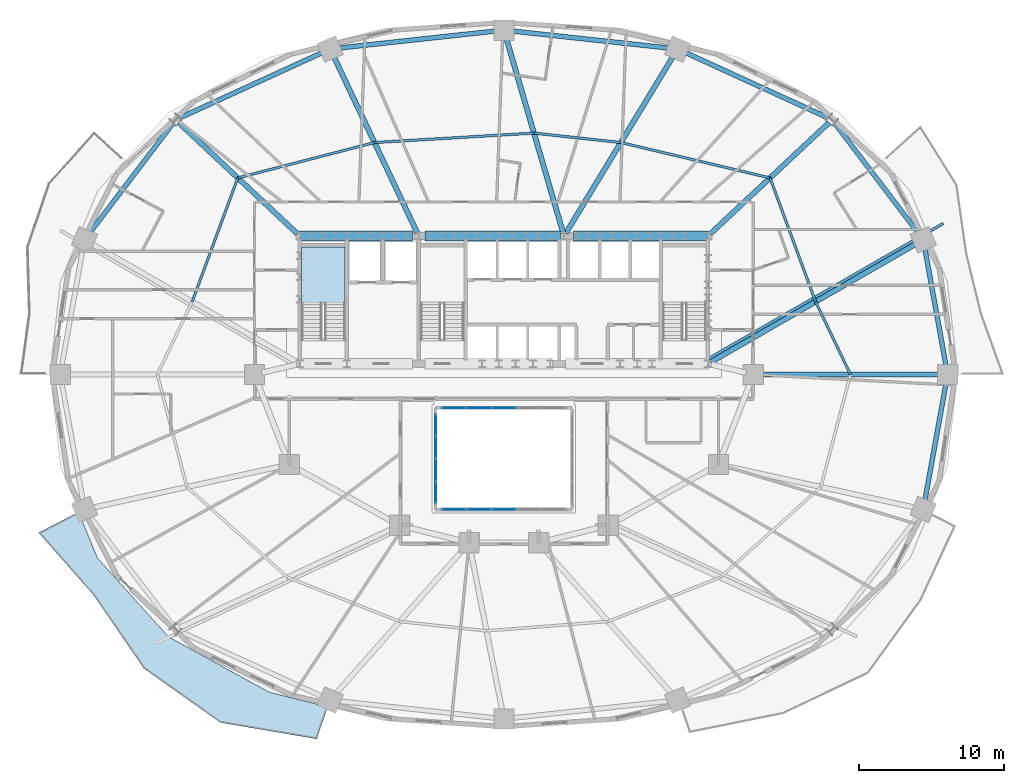
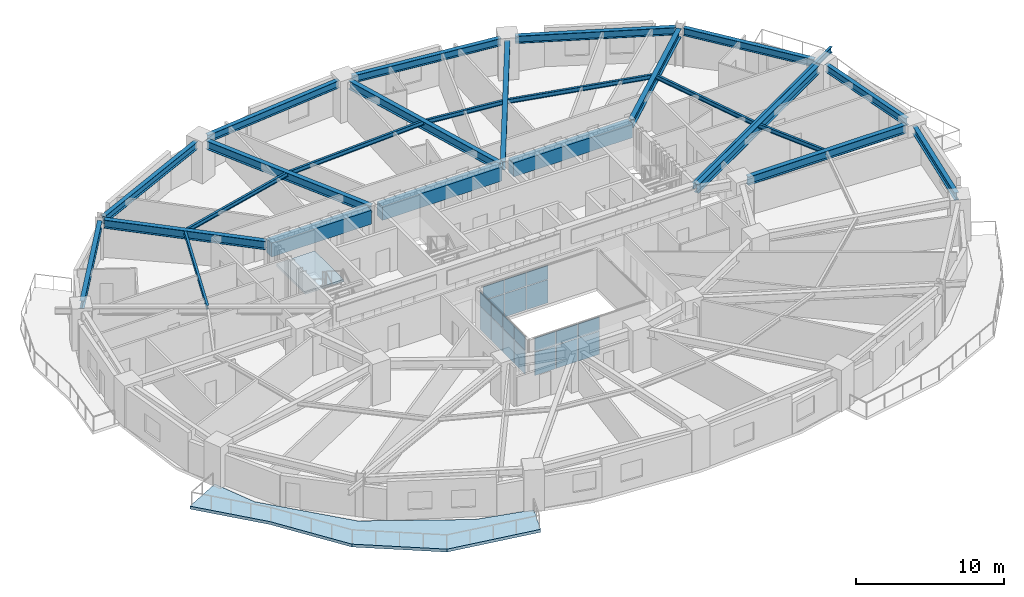
# One storey, part 7 of 18: 26 beams, 20 plates, 2 slabs, 4 elements without a shape of their own.
"""IFC4 building model written with IfcOpenShell, lengths in metres."""

import ifcopenshell
import ifcopenshell.guid

model = None  # the IFC model being written
_history = None  # IfcOwnerHistory: only IFC2X3 demands one
_inside = {}  # id of a spatial element -> (the spatial element, [elements in it])
_under = {}  # id of a project, library or spatial element -> (it, [spatial elements below it])
_declared = {}  # id of a project -> (the project, [libraries it declares])
_typed = {}  # id of a type object -> (the type object, [elements of that type])
_made_of = {}  # id of a material, layer set ... -> (it, [elements and type objects made of it])


def new_model(schema):
    """Start an empty IFC model of exactly this schema.

    Asked for "IFC4X3", IfcOpenShell would pick the latest addendum, in which some entities
    have other attributes; the version numbers below select the first issue.
    IFC2X3 requires an IfcOwnerHistory on every rooted entity: one is made here for all.
    """
    global model, _history
    if schema == "IFC4X3":
        model = ifcopenshell.file(schema_version=(4, 3, 0, 0))
    else:
        model = ifcopenshell.file(schema=schema)
    _inside.clear()
    _under.clear()
    _declared.clear()
    _typed.clear()
    _made_of.clear()
    _history = None
    if model.schema == "IFC2X3":
        org = make("IfcOrganization", Name="unknown")
        user = make(
            "IfcPersonAndOrganization",
            ThePerson=make("IfcPerson", FamilyName="unknown"),
            TheOrganization=org,
        )
        app = make(
            "IfcApplication",
            ApplicationDeveloper=org,
            Version="unknown",
            ApplicationFullName="unknown",
            ApplicationIdentifier="unknown",
        )
        _history = make(
            "IfcOwnerHistory",
            OwningUser=user,
            OwningApplication=app,
            ChangeAction="ADDED",
            CreationDate=0,
        )
    return model


def make(cls, **values):
    """One entity of the class cls with the attributes given. An attribute that is None is left unset."""
    return model.create_entity(
        cls, **{name: value for name, value in values.items() if value is not None}
    )


def rooted(cls, **values):
    """An entity with a GlobalId (a new one), such as an element, a storey or a relation."""
    return make(cls, GlobalId=ifcopenshell.guid.new(), OwnerHistory=_history, **values)


def si_unit(unit_type, name, prefix=None):
    """IfcSIUnit, for example si_unit("LENGTHUNIT", "METRE", prefix="MILLI")."""
    return make("IfcSIUnit", UnitType=unit_type, Prefix=prefix, Name=name)


def assignment(units):
    """IfcUnitAssignment: the units of a project."""
    return None if units is None else make("IfcUnitAssignment", Units=units)


def point(xyz):
    """IfcCartesianPoint."""
    return None if xyz is None else make("IfcCartesianPoint", Coordinates=xyz)


def direction(xyz):
    """IfcDirection."""
    return None if xyz is None else make("IfcDirection", DirectionRatios=xyz)


def frame(location, z_axis=None, x_axis=None):
    """IfcAxis2Placement3D, a coordinate frame: its origin and axes. An axis left out is left unset."""
    return make(
        "IfcAxis2Placement3D",
        Location=point(location),
        Axis=direction(z_axis),
        RefDirection=direction(x_axis),
    )


def frame_2d(location, x_axis=None):
    """IfcAxis2Placement2D, a coordinate frame in the plane: its origin and x axis."""
    return make(
        "IfcAxis2Placement2D", Location=point(location), RefDirection=direction(x_axis)
    )


def origin():
    """The frame at (0, 0, 0) with its axes left unset."""
    return frame((0.0, 0.0, 0.0))


def origin_2d():
    """The frame at (0, 0) in the plane with its x axis left unset."""
    return frame_2d((0.0, 0.0))


def place(relative_to, where):
    """IfcLocalPlacement: puts the frame where relative to a parent placement (None: the world)."""
    return make(
        "IfcLocalPlacement", PlacementRelTo=relative_to, RelativePlacement=where
    )


def context(
    kind, dimensions, precision=None, world=None, true_north=None, identifier=None
):
    """IfcGeometricRepresentationContext, for example the 3D "Model" context."""
    return make(
        "IfcGeometricRepresentationContext",
        ContextIdentifier=identifier,
        ContextType=kind,
        CoordinateSpaceDimension=dimensions,
        Precision=precision,
        WorldCoordinateSystem=world,
        TrueNorth=true_north,
    )


def subcontext(parent, identifier, kind, view, scale=None):
    """IfcGeometricRepresentationSubContext, for example "Body" below "Model"."""
    return make(
        "IfcGeometricRepresentationSubContext",
        ContextIdentifier=identifier,
        ContextType=kind,
        ParentContext=parent,
        TargetScale=scale,
        TargetView=view,
    )


def project(units=None, contexts=None):
    """IfcProject with its units and contexts."""
    return rooted(
        "IfcProject",
        Name="project",
        RepresentationContexts=contexts,
        UnitsInContext=assignment(units),
    )


def spatial(cls, under=None, at=None, **own):
    """A site, building, storey or space (cls), placed at a placement, below another one or the project."""
    s = rooted(cls, ObjectPlacement=at, **own)
    if under is not None:
        _under.setdefault(under.id(), (under, []))[1].append(s)
    return s


def polyline(points):
    """IfcPolyline through the points."""
    return make("IfcPolyline", Points=[point(p) for p in points])


def profile(cls, at=None, kind="AREA", **sizes):
    """A parametric profile (cls). Its sizes go by their IFC names, for example OverallWidth=200.0."""
    return make(cls, ProfileType=kind, Position=at, **sizes)


def rectangle(**sizes):
    """IfcRectangleProfileDef."""
    return profile("IfcRectangleProfileDef", **sizes)


def i_section(**sizes):
    """IfcIShapeProfileDef."""
    return profile("IfcIShapeProfileDef", **sizes)


def outline(outer, holes=None, kind="AREA"):
    """IfcArbitraryClosedProfileDef: a profile drawn as a closed curve; with holes, ...WithVoids."""
    if holes is None:
        return make("IfcArbitraryClosedProfileDef", ProfileType=kind, OuterCurve=outer)
    return make(
        "IfcArbitraryProfileDefWithVoids",
        ProfileType=kind,
        OuterCurve=outer,
        InnerCurves=holes,
    )


def extrude(swept, where, along, depth):
    """IfcExtrudedAreaSolid: the profile swept, set in the frame where, extruded along a direction by depth."""
    return make(
        "IfcExtrudedAreaSolid",
        SweptArea=swept,
        Position=where,
        ExtrudedDirection=direction(along),
        Depth=depth,
    )


def shape(context_of_items, identifier, shape_type, items):
    """IfcShapeRepresentation: the items that make up one representation, for example the "Body"."""
    return make(
        "IfcShapeRepresentation",
        ContextOfItems=context_of_items,
        RepresentationIdentifier=identifier,
        RepresentationType=shape_type,
        Items=items,
    )


def material(Name=None, Category=None):
    """IfcMaterial."""
    return make("IfcMaterial", Name=Name, Category=Category)


def layer(
    of_material, thickness, ventilated=None, Name=None, Category=None, Priority=None
):
    """IfcMaterialLayer: one layer of a wall or slab, of a material (None: an air gap)."""
    return make(
        "IfcMaterialLayer",
        Material=of_material,
        LayerThickness=thickness,
        IsVentilated=ventilated,
        Name=Name,
        Category=Category,
        Priority=Priority,
    )


def layer_set(layers, Name=None):
    """IfcMaterialLayerSet."""
    return make("IfcMaterialLayerSet", MaterialLayers=layers, LayerSetName=Name)


def material_profile(
    of_material, cross_section, Name=None, Category=None, Priority=None
):
    """IfcMaterialProfile: a cross section and its material."""
    return make(
        "IfcMaterialProfile",
        Name=Name,
        Material=of_material,
        Profile=cross_section,
        Priority=Priority,
        Category=Category,
    )


def profile_set(profiles, Name=None, composite=None):
    """IfcMaterialProfileSet."""
    return make(
        "IfcMaterialProfileSet",
        Name=Name,
        MaterialProfiles=profiles,
        CompositeProfile=composite,
    )


def made_of(thing, what):
    """Note that an element or type object is made of a material, layer set ...; save() writes the relation."""
    if what is not None:
        _made_of.setdefault(what.id(), (what, []))[1].append(thing)
    return thing


def type_object(cls, material=None, **own):
    """A type object (cls), such as IfcWallType, which elements share."""
    return made_of(rooted(cls, **own), material)


def element(
    cls,
    number,
    at=None,
    inside=None,
    cuts=None,
    type_object=None,
    material=None,
    context=None,
    identifier="Body",
    shape_type=None,
    held_by="IfcProductDefinitionShape",
    body=None,
    shapes=None,
    **own,
):
    """One element of the class cls, such as IfcWall. Its Tag is "e" and its number.

    at: its placement. inside: the storey or other place that contains it. cuts: it is an
    opening in that element (IfcRelVoidsElement). A single representation is given by context,
    identifier, shape_type and body (its items); several are given by shapes. held_by: the class
    of the entity that holds the representations. save() writes the other relations.
    """
    e = rooted(cls, Tag="e%d" % number, ObjectPlacement=at, **own)
    if body is not None:
        shapes = [shape(context, identifier, shape_type, body)]
    if shapes is not None:
        e.Representation = make(held_by, Representations=shapes)
    if inside is not None:
        _inside.setdefault(inside.id(), (inside, []))[1].append(e)
    if cuts is not None:
        rooted(
            "IfcRelVoidsElement", RelatingBuildingElement=cuts, RelatedOpeningElement=e
        )
    if type_object is not None:
        _typed.setdefault(type_object.id(), (type_object, []))[1].append(e)
    return made_of(e, material)


def aggregate(whole, parts):
    """IfcRelAggregates: a whole, such as a stair, and the parts it consists of."""
    return rooted("IfcRelAggregates", RelatingObject=whole, RelatedObjects=parts)


def save(model, path):
    """Write the relations noted so far, then the file.

    IfcRelAggregates (storeys below a building ...), IfcRelContainedInSpatialStructure (elements
    in a storey), IfcRelDefinesByType, IfcRelAssociatesMaterial and IfcRelDeclares: one each for
    every whole, place, type object, material and project.
    """
    for whole, parts in _under.values():
        aggregate(whole, parts)
    for where, things in _inside.values():
        rooted(
            "IfcRelContainedInSpatialStructure",
            RelatedElements=things,
            RelatingStructure=where,
        )
    for kind, things in _typed.values():
        rooted("IfcRelDefinesByType", RelatedObjects=things, RelatingType=kind)
    for what, things in _made_of.values():
        rooted("IfcRelAssociatesMaterial", RelatedObjects=things, RelatingMaterial=what)
    for by, libraries in _declared.values():
        rooted("IfcRelDeclares", RelatingContext=by, RelatedDefinitions=libraries)
    model.write(path)


model = new_model("IFC4")

# Units and contexts
model_context = context("Model", 3, precision=1e-05, world=origin(), true_north=direction((0.0, 1.0)))
body_context = subcontext(model_context, "Body", "Model", "MODEL_VIEW")
ifc_project = project(units=[si_unit("LENGTHUNIT", "METRE"), si_unit("AREAUNIT", "SQUARE_METRE"), si_unit("VOLUMEUNIT", "CUBIC_METRE"), si_unit("PLANEANGLEUNIT", "RADIAN"), si_unit("MASSUNIT", "GRAM", prefix="KILO")], contexts=[model_context])

# Site, building, storey
site_placement = place(None, origin())
site = spatial("IfcSite", under=ifc_project, at=site_placement, CompositionType="ELEMENT")
building_placement = place(site_placement, origin())
building = spatial("IfcBuilding", under=site, at=building_placement, Name="Haldorwick Loom Tower", CompositionType="ELEMENT")
storey_placement = place(building_placement, frame((0.0, 0.0, 48.14990234375)))
storey = spatial("IfcBuildingStorey", under=building, at=storey_placement, Name="L12", CompositionType="ELEMENT", Elevation=48.14990234375)

# Beams
ifc_material_1 = material(Name="Steel CSA G40.21 350W", Category="steel")
ifc_material_profile_1 = material_profile(ifc_material_1, i_section(OverallWidth=0.193115234375, OverallDepth=0.466064453125, WebThickness=0.011474609375, FlangeThickness=0.01904296875, at=origin_2d()), Name="W460X97", Category="steel")
ifc_profile_set_1 = profile_set([ifc_material_profile_1], Name="Steel CSA G40.21 350W")
beam_type_1 = type_object("IfcBeamType", Name="STR-BM-BAL460", PredefinedType="BEAM", material=ifc_profile_set_1)
beam_1_placement = place(storey_placement, frame((50.125244140625, 27.10498046875, 2.97705078125), z_axis=(0.866607024941, 0.49899124674, 0.0), x_axis=(-0.49899124674, 0.866607024941, 0.0)))
element("IfcBeam", 1, at=beam_1_placement, inside=storey, type_object=beam_type_1, Name="L12 Continuous Back-Spanned Balcony Beam 4", PredefinedType="BEAM", context=body_context, shape_type="SweptSolid", body=[
    extrude(i_section(OverallWidth=0.193115234375, OverallDepth=0.466064453125, WebThickness=0.011474609375, FlangeThickness=0.01904296875, at=origin_2d()), origin(), (0.0, 0.0, 1.0), 18.65771484375),
])
ifc_material_2 = material(Name="Concrete C60 (60 MPa)", Category="concrete")
ifc_material_profile_2 = material_profile(ifc_material_2, rectangle(XDim=0.699951171875, YDim=1.14990234375, at=origin_2d()), Name="RC700X1150", Category="concrete")
ifc_profile_set_2 = profile_set([ifc_material_profile_2], Name="Concrete C60 (60 MPa)")
beam_type_2 = type_object("IfcBeamType", Name="STR-BM-CB1150", PredefinedType="LINTEL", material=ifc_profile_set_2)
beam_2_placement = place(storey_placement, frame((21.89990234375, 35.550048828125, 2.635009765625), z_axis=(1.0, 0.0, 0.0), x_axis=(0.0, 1.0, 0.0)))
element("IfcBeam", 2, at=beam_2_placement, inside=storey, type_object=beam_type_2, Name="L12 Core Coupling Beam CB-N1", PredefinedType="LINTEL", context=body_context, shape_type="SweptSolid", body=[
    extrude(rectangle(XDim=0.699951171875, YDim=1.14990234375, at=origin_2d()), origin(), (0.0, 0.0, 1.0), 7.800048828125),
])
beam_3_placement = place(storey_placement, frame((30.550048828125, 35.550048828125, 2.635009765625), z_axis=(1.0, 0.0, 0.0), x_axis=(0.0, 1.0, 0.0)))
element("IfcBeam", 3, at=beam_3_placement, inside=storey, type_object=beam_type_2, Name="L12 Core Coupling Beam CB-N2", PredefinedType="LINTEL", context=body_context, shape_type="SweptSolid", body=[
    extrude(rectangle(XDim=0.699951171875, YDim=1.14990234375, at=origin_2d()), origin(), (0.0, 0.0, 1.0), 9.349853515625),
])
beam_4_placement = place(storey_placement, frame((40.800048828125, 35.550048828125, 2.635009765625), z_axis=(1.0, 0.0, 0.0), x_axis=(0.0, 1.0, 0.0)))
element("IfcBeam", 4, at=beam_4_placement, inside=storey, type_object=beam_type_2, Name="L12 Core Coupling Beam CB-N3", PredefinedType="LINTEL", context=body_context, shape_type="SweptSolid", body=[
    extrude(rectangle(XDim=0.699951171875, YDim=1.14990234375, at=origin_2d()), origin(), (0.0, 0.0, 1.0), 9.300048828125),
])
ifc_material_profile_3 = material_profile(ifc_material_1, i_section(OverallWidth=0.172119140625, OverallDepth=0.35791015625, WebThickness=0.0078125, FlangeThickness=0.01318359375, at=origin_2d()), Name="W360X57", Category="steel")
ifc_profile_set_3 = profile_set([ifc_material_profile_3], Name="Steel CSA G40.21 350W")
beam_type_3 = type_object("IfcBeamType", Name="STR-BM-J360", PredefinedType="JOIST", material=ifc_profile_set_3)
beam_5_placement = place(storey_placement, frame((59.89794921875, 26.0, 3.031005859375), z_axis=(-0.431630738849, 0.902050389546, 0.0), x_axis=(-0.902050389546, -0.431630738849, 0.0)))
element("IfcBeam", 5, at=beam_5_placement, inside=storey, type_object=beam_type_3, Name="L12 Mid-Bay Secondary Joist 1", PredefinedType="JOIST", context=body_context, shape_type="SweptSolid", body=[
    extrude(i_section(OverallWidth=0.172119140625, OverallDepth=0.35791015625, WebThickness=0.0078125, FlangeThickness=0.01318359375, at=origin_2d()), origin(), (0.0, 0.0, 1.0), 5.5703125),
])
beam_6_placement = place(storey_placement, frame((57.49365234375, 31.024658203125, 3.031005859375), z_axis=(-0.345576005762, 0.938390763084, 0.0), x_axis=(-0.938390763084, -0.345576005762, 0.0)))
element("IfcBeam", 6, at=beam_6_placement, inside=storey, type_object=beam_type_3, Name="L12 Mid-Bay Secondary Joist 2", PredefinedType="JOIST", context=body_context, shape_type="SweptSolid", body=[
    extrude(i_section(OverallWidth=0.172119140625, OverallDepth=0.35791015625, WebThickness=0.0078125, FlangeThickness=0.01318359375, at=origin_2d()), origin(), (0.0, 0.0, 1.0), 9.0966796875),
])
beam_7_placement = place(storey_placement, frame((54.35009765625, 39.560791015625, 3.031005859375), z_axis=(-0.973016191143, 0.230736845289, 0.0), x_axis=(-0.230736845289, -0.973016191143, 0.0)))
element("IfcBeam", 7, at=beam_7_placement, inside=storey, type_object=beam_type_3, Name="L12 Mid-Bay Secondary Joist 3", PredefinedType="JOIST", context=body_context, shape_type="SweptSolid", body=[
    extrude(i_section(OverallWidth=0.172119140625, OverallDepth=0.35791015625, WebThickness=0.0078125, FlangeThickness=0.01318359375, at=origin_2d()), origin(), (0.0, 0.0, 1.0), 10.5712890625),
])
beam_8_placement = place(storey_placement, frame((44.06396484375, 42.0, 3.031005859375), z_axis=(-0.994163660215, 0.107882420753, 0.0), x_axis=(-0.107882420753, -0.994163660215, 0.0)))
element("IfcBeam", 8, at=beam_8_placement, inside=storey, type_object=beam_type_3, Name="L12 Mid-Bay Secondary Joist 4", PredefinedType="JOIST", context=body_context, shape_type="SweptSolid", body=[
    extrude(i_section(OverallWidth=0.172119140625, OverallDepth=0.35791015625, WebThickness=0.0078125, FlangeThickness=0.01318359375, at=origin_2d()), origin(), (0.0, 0.0, 1.0), 6.024169921875),
])
beam_9_placement = place(storey_placement, frame((38.074951171875, 42.64990234375, 3.031005859375), z_axis=(-0.998258904552, -0.058984400336, 0.0), x_axis=(0.058984400336, -0.998258904552, 0.0)))
element("IfcBeam", 9, at=beam_9_placement, inside=storey, type_object=beam_type_3, Name="L12 Mid-Bay Secondary Joist 5", PredefinedType="JOIST", context=body_context, shape_type="SweptSolid", body=[
    extrude(i_section(OverallWidth=0.172119140625, OverallDepth=0.35791015625, WebThickness=0.0078125, FlangeThickness=0.01318359375, at=origin_2d()), origin(), (0.0, 0.0, 1.0), 11.018310546875),
])
beam_10_placement = place(storey_placement, frame((27.075927734375, 42.0, 3.031005859375), z_axis=(-0.968110955806, -0.250521809927, 0.0), x_axis=(0.250521809927, -0.968110955806, 0.0)))
element("IfcBeam", 10, at=beam_10_placement, inside=storey, type_object=beam_type_3, Name="L12 Mid-Bay Secondary Joist 6", PredefinedType="JOIST", context=body_context, shape_type="SweptSolid", body=[
    extrude(i_section(OverallWidth=0.172119140625, OverallDepth=0.35791015625, WebThickness=0.0078125, FlangeThickness=0.01318359375, at=origin_2d()), origin(), (0.0, 0.0, 1.0), 9.736572265625),
])
beam_11_placement = place(storey_placement, frame((17.64990234375, 39.560791015625, 3.031005859375), z_axis=(-0.345576005762, -0.938390763084, 0.0), x_axis=(0.938390763084, -0.345576005762, 0.0)))
element("IfcBeam", 11, at=beam_11_placement, inside=storey, type_object=beam_type_3, Name="L12 Mid-Bay Secondary Joist 7", PredefinedType="JOIST", context=body_context, shape_type="SweptSolid", body=[
    extrude(i_section(OverallWidth=0.172119140625, OverallDepth=0.35791015625, WebThickness=0.0078125, FlangeThickness=0.01318359375, at=origin_2d()), origin(), (0.0, 0.0, 1.0), 9.0966796875),
])
ifc_material_profile_4 = material_profile(ifc_material_1, i_section(OverallWidth=0.324951171875, OverallDepth=0.615966796875, WebThickness=0.013916015625, FlangeThickness=0.021484375, at=origin_2d()), Name="W610X174", Category="steel")
ifc_profile_set_4 = profile_set([ifc_material_profile_4], Name="Steel CSA G40.21 350W")
beam_type_4 = type_object("IfcBeamType", Name="STR-BM-SP610", PredefinedType="SPANDREL", material=ifc_profile_set_4)
beam_12_placement = place(storey_placement, frame((66.503662109375, 26.51171875, 2.902099609375), z_axis=(-0.177641139482, 0.984095333575, 0.0), x_axis=(-0.984095333575, -0.177641139482, 0.0)))
element("IfcBeam", 12, at=beam_12_placement, inside=storey, type_object=beam_type_4, Name="L12 Perimeter Spandrel 1", PredefinedType="SPANDREL", context=body_context, shape_type="SweptSolid", body=[
    extrude(i_section(OverallWidth=0.324951171875, OverallDepth=0.615966796875, WebThickness=0.013916015625, FlangeThickness=0.021484375, at=origin_2d()), origin(), (0.0, 0.0, 1.0), 8.40966796875),
])
beam_13_placement = place(storey_placement, frame((64.602783203125, 35.713134765625, 2.902099609375), z_axis=(-0.605084557744, 0.796161213562, 0.0), x_axis=(-0.796161213562, -0.605084557744, 0.0)))
element("IfcBeam", 13, at=beam_13_placement, inside=storey, type_object=beam_type_4, Name="L12 Perimeter Spandrel 2", PredefinedType="SPANDREL", context=body_context, shape_type="SweptSolid", body=[
    extrude(i_section(OverallWidth=0.324951171875, OverallDepth=0.615966796875, WebThickness=0.013916015625, FlangeThickness=0.021484375, at=origin_2d()), origin(), (0.0, 0.0, 1.0), 9.595703125),
])
beam_14_placement = place(storey_placement, frame((58.380126953125, 43.68603515625, 2.902099609375), z_axis=(-0.909173805321, 0.416416848504, 0.0), x_axis=(-0.416416848504, -0.909173805321, 0.0)))
element("IfcBeam", 14, at=beam_14_placement, inside=storey, type_object=beam_type_4, Name="L12 Perimeter Spandrel 3", PredefinedType="SPANDREL", context=body_context, shape_type="SweptSolid", body=[
    extrude(i_section(OverallWidth=0.324951171875, OverallDepth=0.615966796875, WebThickness=0.013916015625, FlangeThickness=0.021484375, at=origin_2d()), origin(), (0.0, 0.0, 1.0), 10.92138671875),
])
for number, where, z_axis, x_axis, name in (
    (15, (47.4609375, 48.50634765625, 2.902099609375), (-0.994164438636, 0.107875247167, 0.0), (-0.107875247167, -0.994164438636, 0.0), "L12 Perimeter Spandrel 4"),
    (16, (35.48291015625, 49.69384765625, 2.902099609375), (-0.994164438636, -0.107875247167, 0.0), (0.107875247167, -0.994164438636, 0.0), "L12 Perimeter Spandrel 5"),
):
    element("IfcBeam", number, at=place(storey_placement, frame(where, z_axis=z_axis, x_axis=x_axis)), inside=storey, type_object=beam_type_4, Name=name, PredefinedType="SPANDREL", context=body_context, shape_type="SweptSolid", body=[
        extrude(i_section(OverallWidth=0.324951171875, OverallDepth=0.615966796875, WebThickness=0.013916015625, FlangeThickness=0.021484375, at=origin_2d()), origin(), (0.0, 0.0, 1.0), 11.008056640625),
    ])
beam_15_placement = place(storey_placement, frame((23.54931640625, 48.23388671875, 2.902099609375), z_axis=(-0.909173805321, -0.416416848504, 0.0), x_axis=(0.416416848504, -0.909173805321, 0.0)))
element("IfcBeam", 17, at=beam_15_placement, inside=storey, type_object=beam_type_4, Name="L12 Perimeter Spandrel 6", PredefinedType="SPANDREL", context=body_context, shape_type="SweptSolid", body=[
    extrude(i_section(OverallWidth=0.324951171875, OverallDepth=0.615966796875, WebThickness=0.013916015625, FlangeThickness=0.021484375, at=origin_2d()), origin(), (0.0, 0.0, 1.0), 10.92138671875),
])
beam_16_placement = place(storey_placement, frame((13.203369140625, 43.352783203125, 2.902099609375), z_axis=(-0.605084557744, -0.796161213562, 0.0), x_axis=(0.796161213562, -0.605084557744, 0.0)))
element("IfcBeam", 18, at=beam_16_placement, inside=storey, type_object=beam_type_4, Name="L12 Perimeter Spandrel 7", PredefinedType="SPANDREL", context=body_context, shape_type="SweptSolid", body=[
    extrude(i_section(OverallWidth=0.324951171875, OverallDepth=0.615966796875, WebThickness=0.013916015625, FlangeThickness=0.021484375, at=origin_2d()), origin(), (0.0, 0.0, 1.0), 9.595703125),
])
beam_17_placement = place(storey_placement, frame((65.009765625, 17.21240234375, 2.902099609375), z_axis=(0.177641139482, 0.984095333575, 0.0), x_axis=(-0.984095333575, 0.177641139482, 0.0)))
element("IfcBeam", 19, at=beam_17_placement, inside=storey, type_object=beam_type_4, Name="L12 Perimeter Spandrel 16", PredefinedType="SPANDREL", context=body_context, shape_type="SweptSolid", body=[
    extrude(i_section(OverallWidth=0.324951171875, OverallDepth=0.615966796875, WebThickness=0.013916015625, FlangeThickness=0.021484375, at=origin_2d()), origin(), (0.0, 0.0, 1.0), 8.40966796875),
])
ifc_material_profile_5 = material_profile(ifc_material_1, i_section(OverallWidth=0.35498046875, OverallDepth=0.695068359375, WebThickness=0.015380859375, FlangeThickness=0.02490234375, at=origin_2d()), Name="W690X217", Category="steel")
ifc_profile_set_5 = profile_set([ifc_material_profile_5], Name="Steel CSA G40.21 350W")
beam_type_5 = type_object("IfcBeamType", Name="STR-BM-W690", PredefinedType="BEAM", material=ifc_profile_set_5)
beam_18_placement = place(storey_placement, frame((53.719970703125, 26.0, 2.862548828125), z_axis=(1.0, 0.0, 0.0), x_axis=(0.0, 1.0, 0.0)))
element("IfcBeam", 20, at=beam_18_placement, inside=storey, type_object=beam_type_5, Name="L12 Radial Floor Girder 1", PredefinedType="BEAM", context=body_context, shape_type="SweptSolid", body=[
    extrude(i_section(OverallWidth=0.35498046875, OverallDepth=0.695068359375, WebThickness=0.015380859375, FlangeThickness=0.02490234375, at=origin_2d()), origin(), (0.0, 0.0, 1.0), 12.35595703125),
])
beam_19_placement = place(storey_placement, frame((50.264892578125, 26.8623046875, 2.862548828125), z_axis=(0.86660566838, 0.498993602696, 0.0), x_axis=(-0.498993602696, 0.86660566838, 0.0)))
element("IfcBeam", 21, at=beam_19_placement, inside=storey, type_object=beam_type_5, Name="L12 Radial Floor Girder 2", PredefinedType="BEAM", context=body_context, shape_type="SweptSolid", body=[
    extrude(i_section(OverallWidth=0.35498046875, OverallDepth=0.695068359375, WebThickness=0.015380859375, FlangeThickness=0.02490234375, at=origin_2d()), origin(), (0.0, 0.0, 1.0), 16.387939453125),
])
beam_20_placement = place(storey_placement, frame((50.234130859375, 35.703857421875, 2.862548828125), z_axis=(0.729689033278, 0.683779141766, 0.0), x_axis=(-0.683779141766, 0.729689033278, 0.0)))
element("IfcBeam", 22, at=beam_20_placement, inside=storey, type_object=beam_type_5, Name="L12 Radial Floor Girder 3", PredefinedType="BEAM", context=body_context, shape_type="SweptSolid", body=[
    extrude(i_section(OverallWidth=0.35498046875, OverallDepth=0.695068359375, WebThickness=0.015380859375, FlangeThickness=0.02490234375, at=origin_2d()), origin(), (0.0, 0.0, 1.0), 11.231201171875),
])
beam_21_placement = place(storey_placement, frame((40.2666015625, 35.742431640625, 2.862548828125), z_axis=(0.518781813409, 0.854906679162, 0.0), x_axis=(-0.854906679162, 0.518781813409, 0.0)))
element("IfcBeam", 23, at=beam_21_placement, inside=storey, type_object=beam_type_5, Name="L12 Radial Floor Girder 4", PredefinedType="BEAM", context=body_context, shape_type="SweptSolid", body=[
    extrude(i_section(OverallWidth=0.35498046875, OverallDepth=0.695068359375, WebThickness=0.015380859375, FlangeThickness=0.02490234375, at=origin_2d()), origin(), (0.0, 0.0, 1.0), 14.344482421875),
])
beam_22_placement = place(storey_placement, frame((40.0869140625, 35.76611328125, 2.862548828125), z_axis=(-0.28051378914, 0.959849995625, 0.0), x_axis=(-0.959849995625, -0.28051378914, 0.0)))
element("IfcBeam", 24, at=beam_22_placement, inside=storey, type_object=beam_type_5, Name="L12 Radial Floor Girder 5", PredefinedType="BEAM", context=body_context, shape_type="SweptSolid", body=[
    extrude(i_section(OverallWidth=0.35498046875, OverallDepth=0.695068359375, WebThickness=0.015380859375, FlangeThickness=0.02490234375, at=origin_2d()), origin(), (0.0, 0.0, 1.0), 14.048828125),
])
beam_23_placement = place(storey_placement, frame((30.03369140625, 35.75341796875, 2.862548828125), z_axis=(-0.427945149389, 0.903804707398, 0.0), x_axis=(-0.903804707398, -0.427945149389, 0.0)))
element("IfcBeam", 25, at=beam_23_placement, inside=storey, type_object=beam_type_5, Name="L12 Radial Floor Girder 6", PredefinedType="BEAM", context=body_context, shape_type="SweptSolid", body=[
    extrude(i_section(OverallWidth=0.35498046875, OverallDepth=0.695068359375, WebThickness=0.015380859375, FlangeThickness=0.02490234375, at=origin_2d()), origin(), (0.0, 0.0, 1.0), 13.528076171875),
])
beam_24_placement = place(storey_placement, frame((21.765869140625, 35.703857421875, 2.862548828125), z_axis=(-0.729689033278, 0.683779141766, 0.0), x_axis=(-0.683779141766, -0.729689033278, 0.0)))
element("IfcBeam", 26, at=beam_24_placement, inside=storey, type_object=beam_type_5, Name="L12 Radial Floor Girder 7", PredefinedType="BEAM", context=body_context, shape_type="SweptSolid", body=[
    extrude(i_section(OverallWidth=0.35498046875, OverallDepth=0.695068359375, WebThickness=0.015380859375, FlangeThickness=0.02490234375, at=origin_2d()), origin(), (0.0, 0.0, 1.0), 11.231201171875),
])

# Curtain wall, plates
ifc_material_3 = material(Name="Thermally Broken Anodized Aluminium Curtain Wall Framing", Category="aluminium")
curtain_wall_type = type_object("IfcCurtainWallType", Name="ARC-CW-03", PredefinedType="NOTDEFINED", material=ifc_material_3)
curtain_wall_1_placement = place(storey_placement, origin())
curtain_wall_1 = element("IfcCurtainWall", 27, at=curtain_wall_1_placement, inside=storey, type_object=curtain_wall_type, Name="L12 Atrium Glazed Screen S", PredefinedType="NOTDEFINED")
ifc_material_4 = material(Name="Triple-Glazed Low-E Argon Insulated Glazing Unit", Category="glass")
ifc_layer_1 = layer(ifc_material_4, 0.04296875, Name="Triple-Glazed Low-E Argon Insulated Glazing Unit", Category="glass")
ifc_layer_set_1 = layer_set([ifc_layer_1], Name="Triple-Glazed Low-E Argon Insulated Glazing Unit")
plate_type = type_object("IfcPlateType", Name="ARC-CWP-03", PredefinedType="CURTAIN_PANEL", material=ifc_layer_set_1)
plate_1_placement = place(storey_placement, frame((36.0, 16.699951171875, 0.066162109375), z_axis=(0.0, 0.0, 1.0), x_axis=(-1.0, 0.0, 0.0)))
plate_1 = element("IfcPlate", 28, at=plate_1_placement, type_object=plate_type, Name="CW-03 panel 3.1", PredefinedType="CURTAIN_PANEL", context=body_context, shape_type="SweptSolid", body=[
    extrude(rectangle(XDim=1.654052734375, YDim=0.04296875, at=origin_2d()), origin(), (0.0, 0.0, 1.0), 1.90087890625),
])
plate_2_placement = place(storey_placement, frame((36.0, 16.699951171875, 2.033203125), z_axis=(0.0, 0.0, 1.0), x_axis=(-1.0, 0.0, 0.0)))
plate_2 = element("IfcPlate", 29, at=plate_2_placement, type_object=plate_type, Name="CW-03 panel 3.2", PredefinedType="CURTAIN_PANEL", context=body_context, shape_type="SweptSolid", body=[
    extrude(rectangle(XDim=1.654052734375, YDim=0.04296875, at=origin_2d()), origin(), (0.0, 0.0, 1.0), 1.111083984375),
])
plate_3_placement = place(storey_placement, frame((34.280029296875, 16.699951171875, 0.066162109375), z_axis=(0.0, 0.0, 1.0), x_axis=(-1.0, 0.0, 0.0)))
plate_3 = element("IfcPlate", 30, at=plate_3_placement, type_object=plate_type, Name="CW-03 panel 4.1", PredefinedType="CURTAIN_PANEL", context=body_context, shape_type="SweptSolid", body=[
    extrude(rectangle(XDim=1.654052734375, YDim=0.04296875, at=origin_2d()), origin(), (0.0, 0.0, 1.0), 1.90087890625),
])
plate_4_placement = place(storey_placement, frame((34.280029296875, 16.699951171875, 2.033203125), z_axis=(0.0, 0.0, 1.0), x_axis=(-1.0, 0.0, 0.0)))
plate_4 = element("IfcPlate", 31, at=plate_4_placement, type_object=plate_type, Name="CW-03 panel 4.2", PredefinedType="CURTAIN_PANEL", context=body_context, shape_type="SweptSolid", body=[
    extrude(rectangle(XDim=1.654052734375, YDim=0.04296875, at=origin_2d()), origin(), (0.0, 0.0, 1.0), 1.111083984375),
])
plate_5_placement = place(storey_placement, frame((32.576416015625, 16.699951171875, 0.066162109375), z_axis=(0.0, 0.0, 1.0), x_axis=(-1.0, 0.0, 0.0)))
plate_5 = element("IfcPlate", 32, at=plate_5_placement, type_object=plate_type, Name="CW-03 panel 5.1", PredefinedType="CURTAIN_PANEL", context=body_context, shape_type="SweptSolid", body=[
    extrude(rectangle(XDim=1.62109375, YDim=0.04296875, at=origin_2d()), origin(), (0.0, 0.0, 1.0), 1.90087890625),
])
plate_6_placement = place(storey_placement, frame((32.576416015625, 16.699951171875, 2.033203125), z_axis=(0.0, 0.0, 1.0), x_axis=(-1.0, 0.0, 0.0)))
plate_6 = element("IfcPlate", 33, at=plate_6_placement, type_object=plate_type, Name="CW-03 panel 5.2", PredefinedType="CURTAIN_PANEL", context=body_context, shape_type="SweptSolid", body=[
    extrude(rectangle(XDim=1.62109375, YDim=0.04296875, at=origin_2d()), origin(), (0.0, 0.0, 1.0), 1.111083984375),
])
aggregate(curtain_wall_1, [plate_1, plate_2, plate_3, plate_4, plate_5, plate_6])

curtain_wall_2_placement = place(storey_placement, origin())
curtain_wall_2 = element("IfcCurtainWall", 34, at=curtain_wall_2_placement, inside=storey, type_object=curtain_wall_type, Name="L12 Atrium Glazed Screen N", PredefinedType="NOTDEFINED")
plate_7_placement = place(storey_placement, frame((32.576416015625, 23.699951171875, 0.066162109375), z_axis=(0.0, 0.0, 1.0), x_axis=(1.0, 0.0, 0.0)))
plate_7 = element("IfcPlate", 35, at=plate_7_placement, type_object=plate_type, Name="CW-03 panel 1.1", PredefinedType="CURTAIN_PANEL", context=body_context, shape_type="SweptSolid", body=[
    extrude(rectangle(XDim=1.62109375, YDim=0.04296875, at=origin_2d()), origin(), (0.0, 0.0, 1.0), 1.90087890625),
])
plate_8_placement = place(storey_placement, frame((32.576416015625, 23.699951171875, 2.033203125), z_axis=(0.0, 0.0, 1.0), x_axis=(1.0, 0.0, 0.0)))
plate_8 = element("IfcPlate", 36, at=plate_8_placement, type_object=plate_type, Name="CW-03 panel 1.2", PredefinedType="CURTAIN_PANEL", context=body_context, shape_type="SweptSolid", body=[
    extrude(rectangle(XDim=1.62109375, YDim=0.04296875, at=origin_2d()), origin(), (0.0, 0.0, 1.0), 1.111083984375),
])
plate_9_placement = place(storey_placement, frame((34.280029296875, 23.699951171875, 0.066162109375), z_axis=(0.0, 0.0, 1.0), x_axis=(1.0, 0.0, 0.0)))
plate_9 = element("IfcPlate", 37, at=plate_9_placement, type_object=plate_type, Name="CW-03 panel 2.1", PredefinedType="CURTAIN_PANEL", context=body_context, shape_type="SweptSolid", body=[
    extrude(rectangle(XDim=1.654052734375, YDim=0.04296875, at=origin_2d()), origin(), (0.0, 0.0, 1.0), 1.90087890625),
])
plate_10_placement = place(storey_placement, frame((34.280029296875, 23.699951171875, 2.033203125), z_axis=(0.0, 0.0, 1.0), x_axis=(1.0, 0.0, 0.0)))
plate_10 = element("IfcPlate", 38, at=plate_10_placement, type_object=plate_type, Name="CW-03 panel 2.2", PredefinedType="CURTAIN_PANEL", context=body_context, shape_type="SweptSolid", body=[
    extrude(rectangle(XDim=1.654052734375, YDim=0.04296875, at=origin_2d()), origin(), (0.0, 0.0, 1.0), 1.111083984375),
])
plate_11_placement = place(storey_placement, frame((36.0, 23.699951171875, 0.066162109375), z_axis=(0.0, 0.0, 1.0), x_axis=(1.0, 0.0, 0.0)))
plate_11 = element("IfcPlate", 39, at=plate_11_placement, type_object=plate_type, Name="CW-03 panel 3.1", PredefinedType="CURTAIN_PANEL", context=body_context, shape_type="SweptSolid", body=[
    extrude(rectangle(XDim=1.654052734375, YDim=0.04296875, at=origin_2d()), origin(), (0.0, 0.0, 1.0), 1.90087890625),
])
plate_12_placement = place(storey_placement, frame((36.0, 23.699951171875, 2.033203125), z_axis=(0.0, 0.0, 1.0), x_axis=(1.0, 0.0, 0.0)))
plate_12 = element("IfcPlate", 40, at=plate_12_placement, type_object=plate_type, Name="CW-03 panel 3.2", PredefinedType="CURTAIN_PANEL", context=body_context, shape_type="SweptSolid", body=[
    extrude(rectangle(XDim=1.654052734375, YDim=0.04296875, at=origin_2d()), origin(), (0.0, 0.0, 1.0), 1.111083984375),
])
aggregate(curtain_wall_2, [plate_7, plate_8, plate_9, plate_10, plate_11, plate_12])

curtain_wall_3_placement = place(storey_placement, origin())
curtain_wall_3 = element("IfcCurtainWall", 41, at=curtain_wall_3_placement, inside=storey, type_object=curtain_wall_type, Name="L12 Atrium Glazed Screen W", PredefinedType="NOTDEFINED")
plate_13_placement = place(storey_placement, frame((31.300048828125, 17.8916015625, 0.066162109375), z_axis=(0.0, 0.0, 1.0), x_axis=(0.0, 1.0, 0.0)))
plate_13 = element("IfcPlate", 42, at=plate_13_placement, type_object=plate_type, Name="CW-03 panel 1.1", PredefinedType="CURTAIN_PANEL", context=body_context, shape_type="SweptSolid", body=[
    extrude(rectangle(XDim=1.450927734375, YDim=0.04296875, at=origin_2d()), origin(), (0.0, 0.0, 1.0), 1.90087890625),
])
plate_14_placement = place(storey_placement, frame((31.300048828125, 17.8916015625, 2.033203125), z_axis=(0.0, 0.0, 1.0), x_axis=(0.0, 1.0, 0.0)))
plate_14 = element("IfcPlate", 43, at=plate_14_placement, type_object=plate_type, Name="CW-03 panel 1.2", PredefinedType="CURTAIN_PANEL", context=body_context, shape_type="SweptSolid", body=[
    extrude(rectangle(XDim=1.450927734375, YDim=0.04296875, at=origin_2d()), origin(), (0.0, 0.0, 1.0), 1.111083984375),
])
plate_15_placement = place(storey_placement, frame((31.300048828125, 19.425048828125, 0.066162109375), z_axis=(0.0, 0.0, 1.0), x_axis=(0.0, 1.0, 0.0)))
plate_15 = element("IfcPlate", 44, at=plate_15_placement, type_object=plate_type, Name="CW-03 panel 2.1", PredefinedType="CURTAIN_PANEL", context=body_context, shape_type="SweptSolid", body=[
    extrude(rectangle(XDim=1.48388671875, YDim=0.04296875, at=origin_2d()), origin(), (0.0, 0.0, 1.0), 1.90087890625),
])
plate_16_placement = place(storey_placement, frame((31.300048828125, 19.425048828125, 2.033203125), z_axis=(0.0, 0.0, 1.0), x_axis=(0.0, 1.0, 0.0)))
plate_16 = element("IfcPlate", 45, at=plate_16_placement, type_object=plate_type, Name="CW-03 panel 2.2", PredefinedType="CURTAIN_PANEL", context=body_context, shape_type="SweptSolid", body=[
    extrude(rectangle(XDim=1.48388671875, YDim=0.04296875, at=origin_2d()), origin(), (0.0, 0.0, 1.0), 1.111083984375),
])
plate_17_placement = place(storey_placement, frame((31.300048828125, 20.97509765625, 0.066162109375), z_axis=(0.0, 0.0, 1.0), x_axis=(0.0, 1.0, 0.0)))
plate_17 = element("IfcPlate", 46, at=plate_17_placement, type_object=plate_type, Name="CW-03 panel 3.1", PredefinedType="CURTAIN_PANEL", context=body_context, shape_type="SweptSolid", body=[
    extrude(rectangle(XDim=1.48388671875, YDim=0.04296875, at=origin_2d()), origin(), (0.0, 0.0, 1.0), 1.90087890625),
])
plate_18_placement = place(storey_placement, frame((31.300048828125, 20.97509765625, 2.033203125), z_axis=(0.0, 0.0, 1.0), x_axis=(0.0, 1.0, 0.0)))
plate_18 = element("IfcPlate", 47, at=plate_18_placement, type_object=plate_type, Name="CW-03 panel 3.2", PredefinedType="CURTAIN_PANEL", context=body_context, shape_type="SweptSolid", body=[
    extrude(rectangle(XDim=1.48388671875, YDim=0.04296875, at=origin_2d()), origin(), (0.0, 0.0, 1.0), 1.111083984375),
])
plate_19_placement = place(storey_placement, frame((31.300048828125, 22.508544921875, 0.066162109375), z_axis=(0.0, 0.0, 1.0), x_axis=(0.0, 1.0, 0.0)))
plate_19 = element("IfcPlate", 48, at=plate_19_placement, type_object=plate_type, Name="CW-03 panel 4.1", PredefinedType="CURTAIN_PANEL", context=body_context, shape_type="SweptSolid", body=[
    extrude(rectangle(XDim=1.450927734375, YDim=0.04296875, at=origin_2d()), origin(), (0.0, 0.0, 1.0), 1.90087890625),
])
plate_20_placement = place(storey_placement, frame((31.300048828125, 22.508544921875, 2.033203125), z_axis=(0.0, 0.0, 1.0), x_axis=(0.0, 1.0, 0.0)))
plate_20 = element("IfcPlate", 49, at=plate_20_placement, type_object=plate_type, Name="CW-03 panel 4.2", PredefinedType="CURTAIN_PANEL", context=body_context, shape_type="SweptSolid", body=[
    extrude(rectangle(XDim=1.450927734375, YDim=0.04296875, at=origin_2d()), origin(), (0.0, 0.0, 1.0), 1.111083984375),
])
aggregate(curtain_wall_3, [plate_13, plate_14, plate_15, plate_16, plate_17, plate_18, plate_19, plate_20])

# Slab
ifc_material_5 = material(Name="Concrete C40 (40 MPa)", Category="concrete")
ifc_layer_2 = layer(ifc_material_5, 0.239990234375, Name="Concrete C40 (40 MPa)", Category="concrete")
ifc_layer_set_2 = layer_set([ifc_layer_2], Name="Concrete C40 (40 MPa)")
slab_type_1 = type_object("IfcSlabType", Name="STR-SLB-BAL240", PredefinedType="FLOOR", material=ifc_layer_set_2)
slab_1_placement = place(storey_placement, frame((0.0, 0.0, -0.239990234375)))
element("IfcSlab", 50, at=slab_1_placement, inside=storey, type_object=slab_type_1, Name="L12 Sinusoidal Balcony Terrace BAL_SW", PredefinedType="FLOOR", context=body_context, shape_type="SweptSolid", body=[
    extrude(outline(polyline([(23.847412109375, 3.09130859375), (19.8203125, 4.0966796875), (19.819091796875, 4.096923828125), (19.81787109375, 4.097412109375), (19.81689453125, 4.09814453125), (12.86767578125, 7.92041015625), (12.8662109375, 7.921142578125), (12.86474609375, 7.922119140625), (12.86376953125, 7.92333984375), (7.97119140625, 13.3525390625), (7.97021484375, 13.353515625), (7.969482421875, 13.3544921875), (7.968994140625, 13.355712890625), (7.968505859375, 13.356689453125), (6.675537109375, 16.517333984375), (3.916259765625, 15.09716796875), (7.701904296875, 10.80224609375), (11.1640625, 5.743896484375), (16.441162109375, 2.0087890625), (23.09716796875, 0.873046875), (23.847412109375, 3.09130859375)])), origin(), (0.0, 0.0, 1.0), 0.239990234375),
])

# Stair, slab
stair_type = type_object("IfcStairType", Name="STR-STR-CORE", PredefinedType="HALF_TURN_STAIR", material=ifc_material_5)
stair_placement = place(storey_placement, origin())
stair = element("IfcStair", 51, at=stair_placement, inside=storey, type_object=stair_type, Name="L12 Exit Stair ST-01", PredefinedType="HALF_TURN_STAIR")
ifc_layer_3 = layer(ifc_material_5, 0.199951171875, Name="Concrete C40 (40 MPa)", Category="concrete")
ifc_layer_set_3 = layer_set([ifc_layer_3], Name="Concrete C40 (40 MPa)")
slab_type_2 = type_object("IfcSlabType", Name="STR-SLB-LAND200", PredefinedType="LANDING", material=ifc_layer_set_3)
slab_2_placement = place(storey_placement, frame((0.0, 0.0, 1.525146484375)))
slab_2 = element("IfcSlab", 52, at=slab_2_placement, type_object=slab_type_2, Name="ST-01 landing 1", PredefinedType="LANDING", context=body_context, shape_type="SweptSolid", body=[
    extrude(outline(polyline([(25.050048828125, 30.919921875), (25.050048828125, 34.800048828125), (22.050048828125, 34.800048828125), (22.050048828125, 30.919921875), (25.050048828125, 30.919921875)])), origin(), (0.0, 0.0, 1.0), 0.199951171875),
])
aggregate(stair, [slab_2])

save(model, "model.ifc")
